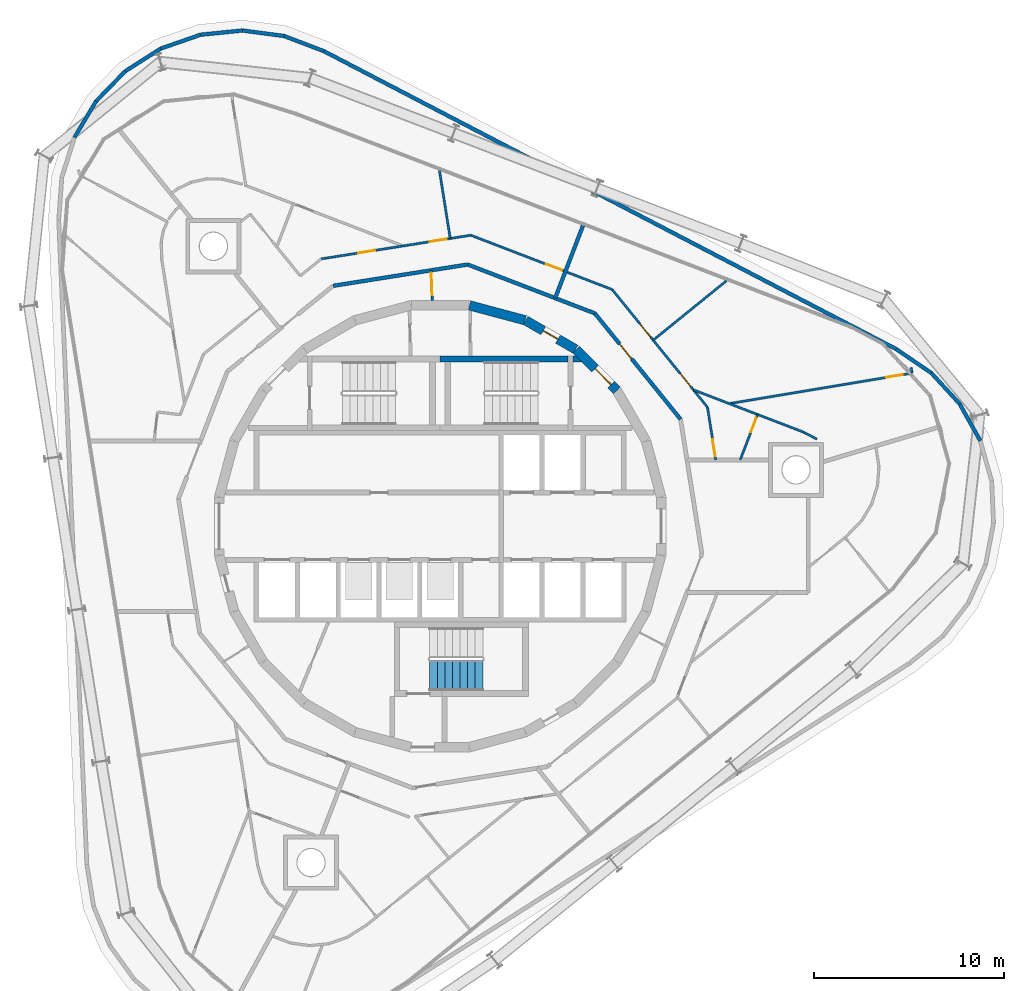
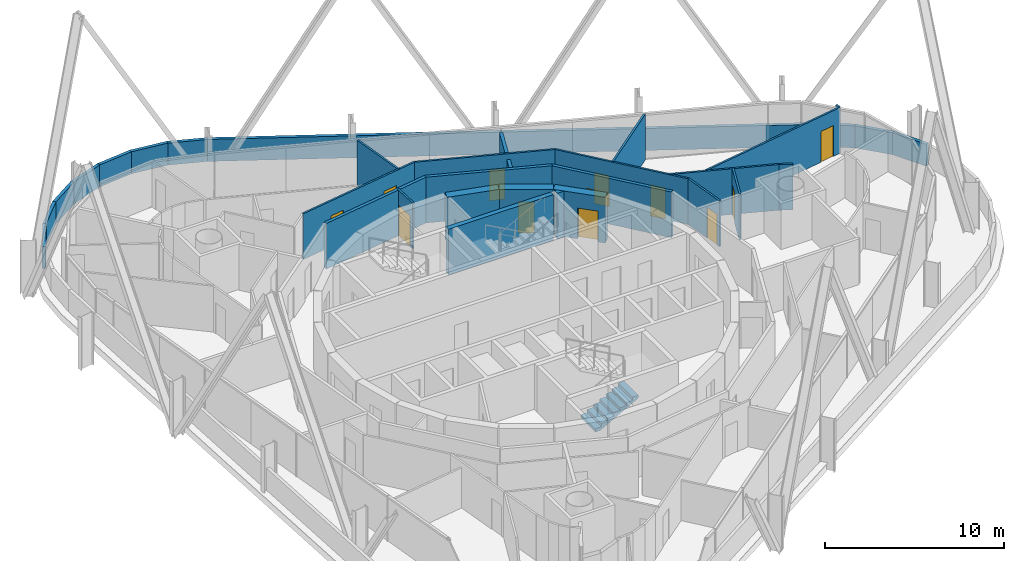
# One storey, part 16 of 19: 32 walls, 12 doors, 1 stair flight, 12 openings, 1 element without a shape of its own.
"""IFC4 building model written with IfcOpenShell, lengths in metres."""

from ifc_helpers import new_model, si_unit, direction, frame, frame_2d, origin, place, context, subcontext, project, spatial, polyline, rectangle, outline, extrude, material, layer, layer_set, type_object, element, fill, aggregate, save


model = new_model("IFC4")

# Units and contexts
model_context = context("Model", 3, precision=1e-05, world=origin(), true_north=direction((0.0, 1.0)))
body_context = subcontext(model_context, "Body", "Model", "MODEL_VIEW")
ifc_project = project(units=[si_unit("LENGTHUNIT", "METRE"), si_unit("AREAUNIT", "SQUARE_METRE"), si_unit("VOLUMEUNIT", "CUBIC_METRE"), si_unit("PLANEANGLEUNIT", "RADIAN"), si_unit("MASSUNIT", "GRAM", prefix="KILO")], contexts=[model_context])

# Site, building, storey
site_placement = place(None, origin())
site = spatial("IfcSite", under=ifc_project, at=site_placement, CompositionType="ELEMENT")
building_placement = place(site_placement, origin())
building = spatial("IfcBuilding", under=site, at=building_placement, Name="Spindle Arch Residences", CompositionType="ELEMENT")
storey_placement = place(building_placement, frame((0.0, 0.0, 263.39990234375)))
storey = spatial("IfcBuildingStorey", under=building, at=storey_placement, Name="L67", CompositionType="ELEMENT", Elevation=263.39990234375)

# Wall, opening, door
ifc_material_1 = material(Name="Concrete C50/60", Category="concrete")
ifc_layer_1 = layer(ifc_material_1, 0.5)
ifc_layer_set_1 = layer_set([ifc_layer_1], Name="Core outline wall 500")
wall_type_1 = type_object("IfcWallType", Name="Core outline wall 500", PredefinedType="SHEAR", material=ifc_layer_set_1)
wall_1_placement = place(storey_placement, frame((9.30810546875, 7.163818359375, 0.0), z_axis=(0.0, 0.0, 1.0), x_axis=(-0.707106781187, 0.707106781187, 0.0)))
wall_1 = element("IfcWall", 1, at=wall_1_placement, inside=storey, type_object=wall_type_1, Name="Core outline wall 9", PredefinedType="SHEAR", context=body_context, shape_type="SweptSolid", body=[
    extrude(rectangle(XDim=3.032470703125, YDim=0.5, at=frame_2d((1.51611328125, 0.0))), origin(), (0.0, 0.0, 1.0), 3.1201171875),
])
opening_1_placement = place(wall_1_placement, frame((0.416259765625, 0.0, 0.0)))
opening_1 = element("IfcOpeningElement", 2, at=opening_1_placement, cuts=wall_1, Name="Opening R7A0-AD01", PredefinedType="OPENING", context=body_context, shape_type="SweptSolid", body=[
    extrude(rectangle(XDim=1.199951171875, YDim=2.10009765625, at=frame_2d((0.60009765625, 1.050048828125))), frame((0.0, 0.260009765625, 0.0), z_axis=(0.0, -1.0, 0.0), x_axis=(1.0, 0.0, 0.0)), (0.0, 0.0, 1.0), 0.52001953125),
])
ifc_material_2 = material(Name="Steel, fire-resisting door", Category="steel")
door_type_1 = type_object("IfcDoorType", Name="Stair airlock door 1200x2100", OperationType="SINGLE_SWING_LEFT", PredefinedType="DOOR", material=ifc_material_2)
door_1_placement = place(opening_1_placement, origin())
door_1 = element("IfcDoor", 3, at=door_1_placement, inside=storey, type_object=door_type_1, Name="Stair airlock door R7A0-AD01", OperationType="SINGLE_SWING_RIGHT", OverallHeight=2.10009765625, OverallWidth=1.199951171875, PredefinedType="DOOR", context=body_context, shape_type="SweptSolid", body=[
    extrude(rectangle(XDim=1.199951171875, YDim=2.10009765625, at=frame_2d((0.60009765625, 1.050048828125))), frame((0.0, 0.02490234375, 0.0), z_axis=(0.0, -1.0, 0.0), x_axis=(1.0, 0.0, 0.0)), (0.0, 0.0, 1.0), 0.050048828125),
])
fill(opening_1, door_1)

wall_2_placement = place(storey_placement, frame((7.13671875, 9.32861328125, 0.0), z_axis=(0.0, 0.0, 1.0), x_axis=(-0.865975092491, 0.500087131594, 0.0)))
wall_2 = element("IfcWall", 4, at=wall_2_placement, inside=storey, type_object=wall_type_1, Name="Core outline wall 10", PredefinedType="SHEAR", context=body_context, shape_type="SweptSolid", body=[
    extrude(rectangle(XDim=3.03271484375, YDim=0.5, at=frame_2d((1.516357421875, 0.0))), origin(), (0.0, 0.0, 1.0), 3.1201171875),
])
opening_2_placement = place(wall_2_placement, frame((1.06640625, 0.0, 0.0)))
opening_2 = element("IfcOpeningElement", 5, at=opening_2_placement, cuts=wall_2, Name="Opening R7A0-WD09", PredefinedType="OPENING", context=body_context, shape_type="SweptSolid", body=[
    extrude(rectangle(XDim=0.89990234375, YDim=2.10009765625, at=frame_2d((0.449951171875, 1.050048828125))), frame((0.0, 0.260009765625, 0.0), z_axis=(0.0, -1.0, 0.0), x_axis=(1.0, 0.0, 0.0)), (0.0, 0.0, 1.0), 0.52001953125),
])
ifc_material_3 = material(Name="Steel, fire-resisting door", Category="steel")
door_type_2 = type_object("IfcDoorType", Name="Service room door 900x2100", OperationType="SINGLE_SWING_LEFT", PredefinedType="DOOR", material=ifc_material_3)
door_2_placement = place(opening_2_placement, origin())
door_2 = element("IfcDoor", 6, at=door_2_placement, inside=storey, type_object=door_type_2, Name="Service room door R7A0-WD09", OperationType="SINGLE_SWING_LEFT", OverallHeight=2.10009765625, OverallWidth=0.89990234375, PredefinedType="DOOR", context=body_context, shape_type="SweptSolid", body=[
    extrude(rectangle(XDim=0.89990234375, YDim=2.10009765625, at=frame_2d((0.449951171875, 1.050048828125))), frame((0.0, 0.02490234375, 0.0), z_axis=(0.0, -1.0, 0.0), x_axis=(1.0, 0.0, 0.0)), (0.0, 0.0, 1.0), 0.050048828125),
])
fill(opening_2, door_2)

# Wall
wall_3_placement = place(storey_placement, frame((4.479248046875, 10.858154296875, 0.0), z_axis=(0.0, 0.0, 1.0), x_axis=(-0.965948410781, 0.258734743916, 0.0)))
element("IfcWall", 7, at=wall_3_placement, inside=storey, type_object=wall_type_1, Name="Core outline wall 11", PredefinedType="SHEAR", context=body_context, shape_type="SweptSolid", body=[
    extrude(rectangle(XDim=3.03271484375, YDim=0.5, at=frame_2d((1.516357421875, 0.0))), origin(), (0.0, 0.0, 1.0), 3.1201171875),
])

# Wall, opening, door
ifc_material_4 = material(Name="Plasterboard on steel studs", Category="steel")
ifc_layer_2 = layer(ifc_material_4, 0.1201171875)
ifc_layer_set_2 = layer_set([ifc_layer_2], Name="Corridor division wall 120")
wall_type_2 = type_object("IfcWallType", Name="Corridor division wall 120", PredefinedType="PARTITIONING", material=ifc_layer_set_2)
wall_4_placement = place(storey_placement, frame((-0.47119140625, 13.492431640625, 0.0), z_axis=(0.0, 0.0, 1.0), x_axis=(0.034873173869, -0.999391745886, 0.0)))
wall_4 = element("IfcWall", 8, at=wall_4_placement, inside=storey, type_object=wall_type_2, Name="Corridor division wall R7A0-W001", PredefinedType="PARTITIONING", context=body_context, shape_type="SweptSolid", body=[
    extrude(rectangle(XDim=1.59619140625, YDim=0.1201171875, at=frame_2d((0.798095703125, 0.0))), origin(), (0.0, 0.0, 1.0), 3.1201171875),
])
opening_3_placement = place(wall_4_placement, frame((0.1201171875, 0.0, 0.0)))
opening_3 = element("IfcOpeningElement", 9, at=opening_3_placement, cuts=wall_4, Name="Opening R7A0-CD01", PredefinedType="OPENING", context=body_context, shape_type="SweptSolid", body=[
    extrude(rectangle(XDim=1.199951171875, YDim=2.10009765625, at=frame_2d((0.60009765625, 1.050048828125))), frame((0.0, 0.070068359375, 0.0), z_axis=(0.0, -1.0, 0.0), x_axis=(1.0, 0.0, 0.0)), (0.0, 0.0, 1.0), 0.14013671875),
])
ifc_material_5 = material(Name="Steel, fire-resisting door", Category="steel")
door_type_3 = type_object("IfcDoorType", Name="Corridor division door 1200x2100", OperationType="NOTDEFINED", PredefinedType="DOOR", material=ifc_material_5)
door_3_placement = place(opening_3_placement, origin())
door_3 = element("IfcDoor", 10, at=door_3_placement, inside=storey, type_object=door_type_3, Name="Corridor division door R7A0-CD01", OperationType="DOUBLE_DOOR_SINGLE_SWING", OverallHeight=2.10009765625, OverallWidth=1.199951171875, PredefinedType="DOOR", context=body_context, shape_type="SweptSolid", body=[
    extrude(rectangle(XDim=1.199951171875, YDim=2.10009765625, at=frame_2d((0.60009765625, 1.050048828125))), frame((0.0, 0.02490234375, 0.0), z_axis=(0.0, -1.0, 0.0), x_axis=(1.0, 0.0, 0.0)), (0.0, 0.0, 1.0), 0.050048828125),
])
fill(opening_3, door_3)

ifc_material_6 = material(Name="Calcium silicate block, plastered")
ifc_layer_3 = layer(ifc_material_6, 0.199951171875)
ifc_layer_set_3 = layer_set([ifc_layer_3], Name="Corridor wall 200")
wall_type_3 = type_object("IfcWallType", Name="Corridor wall 200", PredefinedType="STANDARD", material=ifc_layer_set_3)
wall_5_placement = place(storey_placement, frame((12.67333984375, 5.642578125, 0.0), z_axis=(0.0, 0.0, 1.0), x_axis=(-0.629302871585, 0.777160148113, 0.0)))
wall_5 = element("IfcWall", 11, at=wall_5_placement, inside=storey, type_object=wall_type_3, Name="Corridor wall R7A0-W006", PredefinedType="STANDARD", context=body_context, shape_type="SweptSolid", body=[
    extrude(rectangle(XDim=7.180908203125, YDim=0.199951171875, at=frame_2d((3.59033203125, 0.0))), origin(), (0.0, 0.0, 1.0), 3.1201171875),
])
opening_4_placement = place(wall_5_placement, frame((4.10009765625, 0.0, 0.0)))
opening_4 = element("IfcOpeningElement", 12, at=opening_4_placement, cuts=wall_5, Name="Opening R7A0-FD01", PredefinedType="OPENING", context=body_context, shape_type="SweptSolid", body=[
    extrude(rectangle(XDim=1.0, YDim=2.10009765625, at=frame_2d((0.5, 1.050048828125))), frame((0.0, 0.10986328125, 0.0), z_axis=(0.0, -1.0, 0.0), x_axis=(1.0, 0.0, 0.0)), (0.0, 0.0, 1.0), 0.219970703125),
])
ifc_material_7 = material(Name="Timber, fire-resisting door set", Category="wood")
door_type_4 = type_object("IfcDoorType", Name="Flat entrance door 1000x2100", OperationType="NOTDEFINED", PredefinedType="DOOR", material=ifc_material_7)
door_4_placement = place(opening_4_placement, origin())
door_4 = element("IfcDoor", 13, at=door_4_placement, inside=storey, type_object=door_type_4, Name="Flat entrance door R7A0-FD01", OperationType="SINGLE_SWING_LEFT", OverallHeight=2.10009765625, OverallWidth=1.0, PredefinedType="DOOR", context=body_context, shape_type="SweptSolid", body=[
    extrude(rectangle(XDim=1.0, YDim=2.10009765625, at=frame_2d((0.5, 1.050048828125))), frame((0.0, 0.02490234375, 0.0), z_axis=(0.0, -1.0, 0.0), x_axis=(1.0, 0.0, 0.0)), (0.0, 0.0, 1.0), 0.050048828125),
])
fill(opening_4, door_4)

# Walls
wall_6_placement = place(storey_placement, frame((8.154296875, 11.223388671875, 0.0), z_axis=(0.0, 0.0, 1.0), x_axis=(-0.93359073609, 0.358341090983, 0.0)))
element("IfcWall", 14, at=wall_6_placement, inside=storey, type_object=wall_type_3, Name="Corridor wall R7A0-W007", PredefinedType="STANDARD", context=body_context, shape_type="SweptSolid", body=[
    extrude(rectangle(XDim=7.180908203125, YDim=0.199951171875, at=frame_2d((3.59033203125, 0.0))), origin(), (0.0, 0.0, 1.0), 3.1201171875),
])
wall_7_placement = place(storey_placement, frame((1.4501953125, 13.796630859375, 0.0), z_axis=(0.0, 0.0, 1.0), x_axis=(-0.987690361611, -0.156421704315, 0.0)))
element("IfcWall", 15, at=wall_7_placement, inside=storey, type_object=wall_type_3, Name="Corridor wall R7A0-W008", PredefinedType="STANDARD", context=body_context, shape_type="SweptSolid", body=[
    extrude(rectangle(XDim=7.18115234375, YDim=0.199951171875, at=frame_2d((3.590576171875, 0.0))), origin(), (0.0, 0.0, 1.0), 3.1201171875),
])

# Wall, opening, door
ifc_material_8 = material(Name="Plasterboard on steel studs", Category="steel")
ifc_layer_4 = layer(ifc_material_8, 0.1201171875)
ifc_layer_set_4 = layer_set([ifc_layer_4], Name="Flat partition 120")
wall_type_4 = type_object("IfcWallType", Name="Flat partition 120", PredefinedType="PARTITIONING", material=ifc_layer_set_4)
wall_8_placement = place(storey_placement, frame((14.531494140625, 3.5, 0.0), z_axis=(0.0, 0.0, 1.0), x_axis=(-0.1564580042, 0.987684612071, 0.0)))
wall_8 = element("IfcWall", 16, at=wall_8_placement, inside=storey, type_object=wall_type_4, Name="Flat partition R7A0-W030", PredefinedType="PARTITIONING", context=body_context, shape_type="SweptSolid", body=[
    extrude(rectangle(XDim=2.808837890625, YDim=0.1201171875, at=frame_2d((1.404296875, 0.0))), origin(), (0.0, 0.0, 1.0), 3.1201171875),
])
opening_5_placement = place(wall_8_placement, frame((0.199951171875, 0.0, 0.0)))
opening_5 = element("IfcOpeningElement", 17, at=opening_5_placement, cuts=wall_8, Name="Opening R7A0-ID01", PredefinedType="OPENING", context=body_context, shape_type="SweptSolid", body=[
    extrude(rectangle(XDim=0.89990234375, YDim=2.10009765625, at=frame_2d((0.449951171875, 1.050048828125))), frame((0.0, 0.070068359375, 0.0), z_axis=(0.0, -1.0, 0.0), x_axis=(1.0, 0.0, 0.0)), (0.0, 0.0, 1.0), 0.14013671875),
])
ifc_material_9 = material(Name="Timber door set", Category="wood")
door_type_5 = type_object("IfcDoorType", Name="Room door 900x2100", OperationType="NOTDEFINED", PredefinedType="DOOR", material=ifc_material_9)
door_5_placement = place(opening_5_placement, origin())
door_5 = element("IfcDoor", 18, at=door_5_placement, inside=storey, type_object=door_type_5, Name="Room door R7A0-ID01", OperationType="SINGLE_SWING_LEFT", OverallHeight=2.10009765625, OverallWidth=0.89990234375, PredefinedType="DOOR", context=body_context, shape_type="SweptSolid", body=[
    extrude(rectangle(XDim=0.89990234375, YDim=2.10009765625, at=frame_2d((0.449951171875, 1.050048828125))), frame((0.0, 0.02490234375, 0.0), z_axis=(0.0, -1.0, 0.0), x_axis=(1.0, 0.0, 0.0)), (0.0, 0.0, 1.0), 0.050048828125),
])
fill(opening_5, door_5)

# Wall, openings, doors
wall_9_placement = place(storey_placement, frame((14.092041015625, 6.274169921875, 0.0), z_axis=(0.0, 0.0, 1.0), x_axis=(-0.62933367237, 0.777135206268, 0.0)))
wall_9 = element("IfcWall", 19, at=wall_9_placement, inside=storey, type_object=wall_type_4, Name="Flat partition R7A0-W031", PredefinedType="PARTITIONING", context=body_context, shape_type="SweptSolid", body=[
    extrude(rectangle(XDim=7.98486328125, YDim=0.1201171875, at=frame_2d((3.992431640625, 0.0))), origin(), (0.0, 0.0, 1.0), 3.1201171875),
])
opening_6_placement = place(wall_9_placement, frame((1.3779296875, 0.0, 0.0)))
opening_6 = element("IfcOpeningElement", 20, at=opening_6_placement, cuts=wall_9, Name="Opening R7A0-ID02", PredefinedType="OPENING", context=body_context, shape_type="SweptSolid", body=[
    extrude(rectangle(XDim=0.89990234375, YDim=2.10009765625, at=frame_2d((0.449951171875, 1.050048828125))), frame((0.0, 0.070068359375, 0.0), z_axis=(0.0, -1.0, 0.0), x_axis=(1.0, 0.0, 0.0)), (0.0, 0.0, 1.0), 0.14013671875),
])
opening_7_placement = place(wall_9_placement, frame((4.7490234375, 0.0, 0.0)))
opening_7 = element("IfcOpeningElement", 21, at=opening_7_placement, cuts=wall_9, Name="Opening R7A0-ID03", PredefinedType="OPENING", context=body_context, shape_type="SweptSolid", body=[
    extrude(rectangle(XDim=0.89990234375, YDim=2.10009765625, at=frame_2d((0.449951171875, 1.050048828125))), frame((0.0, 0.070068359375, 0.0), z_axis=(0.0, -1.0, 0.0), x_axis=(1.0, 0.0, 0.0)), (0.0, 0.0, 1.0), 0.14013671875),
])
door_6_placement = place(opening_6_placement, origin())
door_6 = element("IfcDoor", 22, at=door_6_placement, inside=storey, type_object=door_type_5, Name="Room door R7A0-ID02", OperationType="SINGLE_SWING_LEFT", OverallHeight=2.10009765625, OverallWidth=0.89990234375, PredefinedType="DOOR", context=body_context, shape_type="SweptSolid", body=[
    extrude(rectangle(XDim=0.89990234375, YDim=2.10009765625, at=frame_2d((0.449951171875, 1.050048828125))), frame((0.0, 0.02490234375, 0.0), z_axis=(0.0, -1.0, 0.0), x_axis=(1.0, 0.0, 0.0)), (0.0, 0.0, 1.0), 0.050048828125),
])
fill(opening_6, door_6)
door_7_placement = place(opening_7_placement, origin())
door_7 = element("IfcDoor", 23, at=door_7_placement, inside=storey, type_object=door_type_5, Name="Room door R7A0-ID03", OperationType="SINGLE_SWING_LEFT", OverallHeight=2.10009765625, OverallWidth=0.89990234375, PredefinedType="DOOR", context=body_context, shape_type="SweptSolid", body=[
    extrude(rectangle(XDim=0.89990234375, YDim=2.10009765625, at=frame_2d((0.449951171875, 1.050048828125))), frame((0.0, 0.02490234375, 0.0), z_axis=(0.0, -1.0, 0.0), x_axis=(1.0, 0.0, 0.0)), (0.0, 0.0, 1.0), 0.050048828125),
])
fill(opening_7, door_7)

# Wall, opening, door
wall_10_placement = place(storey_placement, frame((9.06689453125, 12.4794921875, 0.0), z_axis=(0.0, 0.0, 1.0), x_axis=(-0.933579449035, 0.358370495911, 0.0)))
wall_10 = element("IfcWall", 24, at=wall_10_placement, inside=storey, type_object=wall_type_4, Name="Flat partition R7A0-W032", PredefinedType="PARTITIONING", context=body_context, shape_type="SweptSolid", body=[
    extrude(rectangle(XDim=7.98486328125, YDim=0.1201171875, at=frame_2d((3.992431640625, 0.0))), origin(), (0.0, 0.0, 1.0), 3.1201171875),
])
opening_8_placement = place(wall_10_placement, frame((2.841064453125, 0.0, 0.0)))
opening_8 = element("IfcOpeningElement", 25, at=opening_8_placement, cuts=wall_10, Name="Opening R7A0-ID05", PredefinedType="OPENING", context=body_context, shape_type="SweptSolid", body=[
    extrude(rectangle(XDim=0.89990234375, YDim=2.10009765625, at=frame_2d((0.449951171875, 1.050048828125))), frame((0.0, 0.070068359375, 0.0), z_axis=(0.0, -1.0, 0.0), x_axis=(1.0, 0.0, 0.0)), (0.0, 0.0, 1.0), 0.14013671875),
])
door_8_placement = place(opening_8_placement, origin())
door_8 = element("IfcDoor", 26, at=door_8_placement, inside=storey, type_object=door_type_5, Name="Room door R7A0-ID05", OperationType="SINGLE_SWING_LEFT", OverallHeight=2.10009765625, OverallWidth=0.89990234375, PredefinedType="DOOR", context=body_context, shape_type="SweptSolid", body=[
    extrude(rectangle(XDim=0.89990234375, YDim=2.10009765625, at=frame_2d((0.449951171875, 1.050048828125))), frame((0.0, 0.02490234375, 0.0), z_axis=(0.0, -1.0, 0.0), x_axis=(1.0, 0.0, 0.0)), (0.0, 0.0, 1.0), 0.050048828125),
])
fill(opening_8, door_8)

# Walls
wall_11_placement = place(storey_placement, frame((19.864501953125, 4.589111328125, 0.0), z_axis=(0.0, 0.0, 1.0), x_axis=(-0.885855229108, 0.46396175819, 0.0)))
element("IfcWall", 27, at=wall_11_placement, inside=storey, type_object=wall_type_4, Name="Flat partition R7A0-W033", PredefinedType="PARTITIONING", context=body_context, shape_type="SweptSolid", body=[
    extrude(rectangle(XDim=0.806640625, YDim=0.1201171875, at=frame_2d((0.4033203125, 0.0))), origin(), (0.0, 0.0, 1.0), 3.1201171875),
])
wall_12_placement = place(storey_placement, frame((19.14990234375, 4.96337890625, 0.0), z_axis=(0.0, 0.0, 1.0), x_axis=(-0.933571304602, 0.358391711992, 0.0)))
element("IfcWall", 28, at=wall_12_placement, inside=storey, type_object=wall_type_4, Name="Flat partition R7A0-W034", PredefinedType="PARTITIONING", context=body_context, shape_type="SweptSolid", body=[
    extrude(rectangle(XDim=6.2119140625, YDim=0.1201171875, at=frame_2d((3.10595703125, 0.0))), origin(), (0.0, 0.0, 1.0), 3.1201171875),
])

# Wall, opening, door
wall_13_placement = place(storey_placement, frame((16.736572265625, 5.889892578125, 0.0), z_axis=(0.0, 0.0, 1.0), x_axis=(-0.358397454141, -0.933569100209, 0.0)))
wall_13 = element("IfcWall", 29, at=wall_13_placement, inside=storey, type_object=wall_type_4, Name="Flat partition R7A0-W035", PredefinedType="PARTITIONING", context=body_context, shape_type="SweptSolid", body=[
    extrude(rectangle(XDim=2.56005859375, YDim=0.1201171875, at=frame_2d((1.280029296875, 0.0))), origin(), (0.0, 0.0, 1.0), 3.1201171875),
])
opening_9_placement = place(wall_13_placement, frame((0.199951171875, 0.0, 0.0)))
opening_9 = element("IfcOpeningElement", 30, at=opening_9_placement, cuts=wall_13, Name="Opening R7A0-BD01", PredefinedType="OPENING", context=body_context, shape_type="SweptSolid", body=[
    extrude(rectangle(XDim=0.800048828125, YDim=2.10009765625, at=frame_2d((0.39990234375, 1.050048828125))), frame((0.0, 0.070068359375, 0.0), z_axis=(0.0, -1.0, 0.0), x_axis=(1.0, 0.0, 0.0)), (0.0, 0.0, 1.0), 0.14013671875),
])
ifc_material_10 = material(Name="Timber door set", Category="wood")
door_type_6 = type_object("IfcDoorType", Name="Bathroom door 800x2100", OperationType="NOTDEFINED", PredefinedType="DOOR", material=ifc_material_10)
door_9_placement = place(opening_9_placement, origin())
door_9 = element("IfcDoor", 31, at=door_9_placement, inside=storey, type_object=door_type_6, Name="Bathroom door R7A0-BD01", OperationType="SINGLE_SWING_LEFT", OverallHeight=2.10009765625, OverallWidth=0.800048828125, PredefinedType="DOOR", context=body_context, shape_type="SweptSolid", body=[
    extrude(rectangle(XDim=0.800048828125, YDim=2.10009765625, at=frame_2d((0.39990234375, 1.050048828125))), frame((0.0, 0.02490234375, 0.0), z_axis=(0.0, -1.0, 0.0), x_axis=(1.0, 0.0, 0.0)), (0.0, 0.0, 1.0), 0.050048828125),
])
fill(opening_9, door_9)

wall_14_placement = place(storey_placement, frame((24.8798828125, 8.07080078125, 0.0), z_axis=(0.0, 0.0, 1.0), x_axis=(-0.986414168431, -0.164277473558, 0.0)))
wall_14 = element("IfcWall", 32, at=wall_14_placement, inside=storey, type_object=wall_type_4, Name="Flat partition R7A0-W036", PredefinedType="PARTITIONING", context=body_context, shape_type="SweptSolid", body=[
    extrude(rectangle(XDim=9.7744140625, YDim=0.1201171875, at=frame_2d((4.88720703125, 0.0))), origin(), (0.0, 0.0, 1.0), 3.1201171875),
])
opening_10_placement = place(wall_14_placement, frame((0.5, 0.0, 0.0)))
opening_10 = element("IfcOpeningElement", 33, at=opening_10_placement, cuts=wall_14, Name="Opening R7A0-ID04", PredefinedType="OPENING", context=body_context, shape_type="SweptSolid", body=[
    extrude(rectangle(XDim=0.89990234375, YDim=2.10009765625, at=frame_2d((0.449951171875, 1.050048828125))), frame((0.0, 0.070068359375, 0.0), z_axis=(0.0, -1.0, 0.0), x_axis=(1.0, 0.0, 0.0)), (0.0, 0.0, 1.0), 0.14013671875),
])
door_10_placement = place(opening_10_placement, origin())
door_10 = element("IfcDoor", 34, at=door_10_placement, inside=storey, type_object=door_type_5, Name="Room door R7A0-ID04", OperationType="SINGLE_SWING_LEFT", OverallHeight=2.10009765625, OverallWidth=0.89990234375, PredefinedType="DOOR", context=body_context, shape_type="SweptSolid", body=[
    extrude(rectangle(XDim=0.89990234375, YDim=2.10009765625, at=frame_2d((0.449951171875, 1.050048828125))), frame((0.0, 0.02490234375, 0.0), z_axis=(0.0, -1.0, 0.0), x_axis=(1.0, 0.0, 0.0)), (0.0, 0.0, 1.0), 0.050048828125),
])
fill(opening_10, door_10)

# Wall
wall_15_placement = place(storey_placement, frame((15.100830078125, 12.944580078125, 0.0), z_axis=(0.0, 0.0, 1.0), x_axis=(-0.777178675378, -0.629279990575, 0.0)))
element("IfcWall", 35, at=wall_15_placement, inside=storey, type_object=wall_type_4, Name="Flat partition R7A0-W037", PredefinedType="PARTITIONING", context=body_context, shape_type="SweptSolid", body=[
    extrude(rectangle(XDim=4.98193359375, YDim=0.1201171875, at=frame_2d((2.490966796875, 0.0))), origin(), (0.0, 0.0, 1.0), 3.1201171875),
])

# Wall, openings, doors
wall_16_placement = place(storey_placement, frame((1.6123046875, 15.341064453125, 0.0), z_axis=(0.0, 0.0, 1.0), x_axis=(-0.987689722749, -0.156425738216, 0.0)))
wall_16 = element("IfcWall", 36, at=wall_16_placement, inside=storey, type_object=wall_type_4, Name="Flat partition R7A0-W038", PredefinedType="PARTITIONING", context=body_context, shape_type="SweptSolid", body=[
    extrude(rectangle(XDim=7.98486328125, YDim=0.1201171875, at=frame_2d((3.992431640625, 0.0))), origin(), (0.0, 0.0, 1.0), 3.1201171875),
])
opening_11_placement = place(wall_16_placement, frame((1.29541015625, 0.0, 0.0)))
opening_11 = element("IfcOpeningElement", 37, at=opening_11_placement, cuts=wall_16, Name="Opening R7A0-ID06", PredefinedType="OPENING", context=body_context, shape_type="SweptSolid", body=[
    extrude(rectangle(XDim=0.89990234375, YDim=2.10009765625, at=frame_2d((0.449951171875, 1.050048828125))), frame((0.0, 0.070068359375, 0.0), z_axis=(0.0, -1.0, 0.0), x_axis=(1.0, 0.0, 0.0)), (0.0, 0.0, 1.0), 0.14013671875),
])
opening_12_placement = place(wall_16_placement, frame((5.10693359375, 0.0, 0.0)))
opening_12 = element("IfcOpeningElement", 38, at=opening_12_placement, cuts=wall_16, Name="Opening R7A0-ID07", PredefinedType="OPENING", context=body_context, shape_type="SweptSolid", body=[
    extrude(rectangle(XDim=0.89990234375, YDim=2.10009765625, at=frame_2d((0.449951171875, 1.050048828125))), frame((0.0, 0.070068359375, 0.0), z_axis=(0.0, -1.0, 0.0), x_axis=(1.0, 0.0, 0.0)), (0.0, 0.0, 1.0), 0.14013671875),
])
door_11_placement = place(opening_11_placement, origin())
door_11 = element("IfcDoor", 39, at=door_11_placement, inside=storey, type_object=door_type_5, Name="Room door R7A0-ID06", OperationType="SINGLE_SWING_RIGHT", OverallHeight=2.10009765625, OverallWidth=0.89990234375, PredefinedType="DOOR", context=body_context, shape_type="SweptSolid", body=[
    extrude(rectangle(XDim=0.89990234375, YDim=2.10009765625, at=frame_2d((0.449951171875, 1.050048828125))), frame((0.0, 0.02490234375, 0.0), z_axis=(0.0, -1.0, 0.0), x_axis=(1.0, 0.0, 0.0)), (0.0, 0.0, 1.0), 0.050048828125),
])
fill(opening_11, door_11)
door_12_placement = place(opening_12_placement, origin())
door_12 = element("IfcDoor", 40, at=door_12_placement, inside=storey, type_object=door_type_5, Name="Room door R7A0-ID07", OperationType="SINGLE_SWING_RIGHT", OverallHeight=2.10009765625, OverallWidth=0.89990234375, PredefinedType="DOOR", context=body_context, shape_type="SweptSolid", body=[
    extrude(rectangle(XDim=0.89990234375, YDim=2.10009765625, at=frame_2d((0.449951171875, 1.050048828125))), frame((0.0, 0.02490234375, 0.0), z_axis=(0.0, -1.0, 0.0), x_axis=(1.0, 0.0, 0.0)), (0.0, 0.0, 1.0), 0.050048828125),
])
fill(opening_12, door_12)

# Walls
wall_17_placement = place(storey_placement, frame((-0.037353515625, 18.755615234375, 0.0), z_axis=(0.0, 0.0, 1.0), x_axis=(0.156421851095, -0.987690338365, 0.0)))
element("IfcWall", 41, at=wall_17_placement, inside=storey, type_object=wall_type_4, Name="Flat partition R7A0-W042", PredefinedType="PARTITIONING", context=body_context, shape_type="SweptSolid", body=[
    extrude(rectangle(XDim=3.63037109375, YDim=0.1201171875, at=frame_2d((1.815185546875, 0.0))), origin(), (0.0, 0.0, 1.0), 3.1201171875),
])
wall_18_placement = place(storey_placement, frame((24.8798828125, 8.07080078125, 0.0), z_axis=(0.0, 0.0, 1.0), x_axis=(-0.164398987305, 0.986393923832, 0.0)))
element("IfcWall", 42, at=wall_18_placement, inside=storey, type_object=wall_type_4, Name="Flat partition R7A0-W096", PredefinedType="PARTITIONING", context=body_context, shape_type="SweptSolid", body=[
    extrude(rectangle(XDim=0.300048828125, YDim=0.1201171875, at=frame_2d((0.14990234375, 0.0))), origin(), (0.0, 0.0, 1.0), 3.1201171875),
])
ifc_material_11 = material(Name="Calcium silicate block, plastered")
ifc_layer_5 = layer(ifc_material_11, 0.199951171875)
ifc_layer_set_5 = layer_set([ifc_layer_5], Name="Flat party wall 200 under beam 2730")
wall_type_5 = type_object("IfcWallType", Name="Flat party wall 200 under beam 2730", PredefinedType="STANDARD", material=ifc_layer_set_5)
wall_19_placement = place(storey_placement, frame((7.53173828125, 15.85009765625, 0.0), z_axis=(0.0, 0.0, 1.0), x_axis=(-0.358355996975, -0.933585014571, 0.0)))
element("IfcWall", 43, at=wall_19_placement, inside=storey, type_object=wall_type_5, Name="Flat party wall R7A0-W023", PredefinedType="STANDARD", context=body_context, shape_type="SweptSolid", body=[
    extrude(rectangle(XDim=4.096435546875, YDim=0.199951171875, at=frame_2d((2.04833984375, 0.0))), origin(), (0.0, 0.0, 1.0), 2.72998046875),
])
ifc_material_12 = material(Name="Concrete C40/50", Category="concrete")
ifc_layer_6 = layer(ifc_material_12, 0.199951171875)
ifc_layer_set_6 = layer_set([ifc_layer_6], Name="Roof parapet 1500")
wall_type_6 = type_object("IfcWallType", Name="Roof parapet 1500", PredefinedType="PARAPET", material=ifc_layer_set_6)
wall_20_placement = place(storey_placement, frame((-19.280517578125, 20.49169921875, 0.030029296875), z_axis=(0.0, 0.0, 1.0), x_axis=(0.512593037575, 0.858631689277, 0.0)))
element("IfcWall", 44, at=wall_20_placement, inside=storey, type_object=wall_type_6, Name="Roof parapet L66 1.14", PredefinedType="PARAPET", context=body_context, shape_type="SweptSolid", body=[
    extrude(rectangle(XDim=2.22802734375, YDim=0.199951171875, at=frame_2d((1.114013671875, 0.0))), origin(), (0.0, 0.0, 1.0), 1.5),
])
for number, where, z_axis, x_axis, name in (
    (45, (-18.1455078125, 22.3955078125, 0.030029296875), (0.0, 0.0, 1.0), (0.696732532768, 0.717331009913, 0.0), "Roof parapet L66 1.15"),
    (46, (-16.60205078125, 23.986572265625, 0.030029296875), (0.0, 0.0, 1.0), (0.843368098269, 0.537336254893, 0.0), "Roof parapet L66 1.16"),
    (47, (-14.7333984375, 25.1787109375, 0.030029296875), (0.0, 0.0, 1.0), (0.944551473251, 0.328363387697, 0.0), "Roof parapet L66 1.17"),
):
    element("IfcWall", number, at=place(storey_placement, frame(where, z_axis=z_axis, x_axis=x_axis)), inside=storey, type_object=wall_type_6, Name=name, PredefinedType="PARAPET", context=body_context, shape_type="SweptSolid", body=[
        extrude(rectangle(XDim=2.228271484375, YDim=0.199951171875, at=frame_2d((1.1142578125, 0.0))), origin(), (0.0, 0.0, 1.0), 1.5),
    ])
for number, where, z_axis, x_axis, name in (
    (48, (-12.639892578125, 25.90771484375, 0.030029296875), (0.0, 0.0, 1.0), (0.99481673892, 0.101684098878, 0.0), "Roof parapet L66 1.18"),
    (49, (-10.434814453125, 26.134521484375, 0.030029296875), (0.0, 0.0, 1.0), (0.991433397225, -0.130613241544, 0.0), "Roof parapet L66 1.19"),
):
    element("IfcWall", number, at=place(storey_placement, frame(where, z_axis=z_axis, x_axis=x_axis)), inside=storey, type_object=wall_type_6, Name=name, PredefinedType="PARAPET", context=body_context, shape_type="SweptSolid", body=[
        extrude(rectangle(XDim=2.22802734375, YDim=0.199951171875, at=frame_2d((1.114013671875, 0.0))), origin(), (0.0, 0.0, 1.0), 1.5),
    ])
wall_21_placement = place(storey_placement, frame((-8.237060546875, 25.846435546875, 0.030029296875), z_axis=(0.0, 0.0, 1.0), x_axis=(0.9346024716, -0.355693997812, 0.0)))
element("IfcWall", 50, at=wall_21_placement, inside=storey, type_object=wall_type_6, Name="Roof parapet L66 1.20", PredefinedType="PARAPET", context=body_context, shape_type="SweptSolid", body=[
    extrude(rectangle(XDim=2.257568359375, YDim=0.199951171875, at=frame_2d((1.12890625, 0.0))), origin(), (0.0, 0.0, 1.0), 1.5),
])
wall_22_placement = place(storey_placement, frame((-6.132568359375, 25.0458984375, 0.030029296875), z_axis=(0.0, 0.0, 1.0), x_axis=(0.887010202007, -0.461749825701, 0.0)))
element("IfcWall", 51, at=wall_22_placement, inside=storey, type_object=wall_type_6, Name="Roof parapet L66 1.21", PredefinedType="PARAPET", context=body_context, shape_type="SweptSolid", body=[
    extrude(rectangle(XDim=34.009033203125, YDim=0.199951171875, at=frame_2d((17.00439453125, 0.0))), origin(), (0.0, 0.0, 1.0), 1.5),
])
wall_23_placement = place(storey_placement, frame((24.02880859375, 9.34521484375, 0.030029296875), z_axis=(0.0, 0.0, 1.0), x_axis=(0.827412960447, -0.561593975114, 0.0)))
element("IfcWall", 52, at=wall_23_placement, inside=storey, type_object=wall_type_6, Name="Roof parapet L66 1.22", PredefinedType="PARAPET", context=body_context, shape_type="SweptSolid", body=[
    extrude(rectangle(XDim=2.257568359375, YDim=0.199951171875, at=frame_2d((1.12890625, 0.0))), origin(), (0.0, 0.0, 1.0), 1.5),
])
wall_24_placement = place(storey_placement, frame((25.887939453125, 8.085205078125, 0.030029296875), z_axis=(0.0, 0.0, 1.0), x_axis=(0.675590656091, -0.737276925858, 0.0)))
element("IfcWall", 53, at=wall_24_placement, inside=storey, type_object=wall_type_6, Name="Roof parapet L66 1.23", PredefinedType="PARAPET", context=body_context, shape_type="SweptSolid", body=[
    extrude(rectangle(XDim=2.228271484375, YDim=0.199951171875, at=frame_2d((1.1142578125, 0.0))), origin(), (0.0, 0.0, 1.0), 1.5),
])
wall_25_placement = place(storey_placement, frame((27.386474609375, 6.45166015625, 0.030029296875), z_axis=(0.0, 0.0, 1.0), x_axis=(0.48738170277, -0.873189026388, 0.0)))
element("IfcWall", 54, at=wall_25_placement, inside=storey, type_object=wall_type_6, Name="Roof parapet L66 1.24", PredefinedType="PARAPET", context=body_context, shape_type="SweptSolid", body=[
    extrude(rectangle(XDim=2.22802734375, YDim=0.199951171875, at=frame_2d((1.114013671875, 0.0))), origin(), (0.0, 0.0, 1.0), 1.5),
])
ifc_material_13 = material(Name="Concrete C40/50", Category="concrete")
wall_type_7 = type_object("IfcWallType", Name="Stair airlock wall profile", PredefinedType="SHEAR", material=ifc_material_13)
wall_26_placement = place(storey_placement, origin())
element("IfcWall", 55, at=wall_26_placement, inside=storey, type_object=wall_type_7, Name="Stair ST-1 airlock wall N", PredefinedType="SHEAR", context=body_context, shape_type="SweptSolid", body=[
    extrude(outline(polyline([(7.4482421875, 8.669921875), (7.0, 8.669921875), (7.0, 8.969970703125), (7.148193359375, 8.969970703125), (7.4482421875, 8.669921875)])), origin(), (0.0, 0.0, 1.0), 3.1201171875),
])
ifc_material_14 = material(Name="Concrete C50/60", Category="concrete")
ifc_layer_7 = layer(ifc_material_14, 0.300048828125)
ifc_layer_set_7 = layer_set([ifc_layer_7], Name="Stair enclosure wall 300")
wall_type_8 = type_object("IfcWallType", Name="Stair enclosure wall 300", PredefinedType="SHEAR", material=ifc_layer_set_7)
wall_27_placement = place(storey_placement, frame((0.0, 8.820068359375, 0.0), z_axis=(0.0, 0.0, 1.0), x_axis=(1.0, 0.0, 0.0)))
element("IfcWall", 56, at=wall_27_placement, inside=storey, type_object=wall_type_8, Name="Stair ST-1 enclosure wall N", PredefinedType="SHEAR", context=body_context, shape_type="SweptSolid", body=[
    extrude(rectangle(XDim=6.75, YDim=0.300048828125, at=frame_2d((3.375, 0.0))), origin(), (0.0, 0.0, 1.0), 3.1201171875),
])

# Stair, stair flight
ifc_material_15 = material(Name="Concrete C50/60", Category="concrete")
stair_type = type_object("IfcStairType", Name="Exit stair 16 risers", PredefinedType="HALF_TURN_STAIR", material=ifc_material_15)
stair_placement = place(storey_placement, origin())
stair = element("IfcStair", 57, at=stair_placement, inside=storey, type_object=stair_type, Name="L67 Exit stair ST3", PredefinedType="HALF_TURN_STAIR")
ifc_material_16 = material(Name="Concrete C50/60", Category="concrete")
stair_flight_type = type_object("IfcStairFlightType", Name="Exit stair flight", PredefinedType="STRAIGHT", material=ifc_material_16)
stair_flight_placement = place(storey_placement, frame((-0.550048828125, -7.8701171875, 0.0), z_axis=(0.0, 0.0, 1.0), x_axis=(1.0, 0.0, 0.0)))
stair_flight = element("IfcStairFlight", 58, at=stair_flight_placement, type_object=stair_flight_type, Name="ST3 flight 1", NumberOfRisers=8, NumberOfTreads=7, PredefinedType="STRAIGHT", RiserHeight=0.21875, TreadLength=0.4, context=body_context, shape_type="SweptSolid", body=[
    extrude(outline(polyline([(0.0, 0.0), (0.0, 0.21875), (0.39990234375, 0.21875), (0.39990234375, 0.4375), (0.800048828125, 0.4375), (0.800048828125, 0.65625), (1.199951171875, 0.65625), (1.199951171875, 0.875), (1.60009765625, 0.875), (1.60009765625, 1.09375), (2.0, 1.09375), (2.0, 1.3125), (2.39990234375, 1.3125), (2.39990234375, 1.53125), (2.800048828125, 1.53125), (2.800048828125, 1.75), (2.800048828125, 1.3603515625), (0.3125, 0.0), (0.0, 0.0)])), frame((0.0, 0.800048828125, 0.0), z_axis=(0.0, -1.0, 0.0), x_axis=(1.0, 0.0, 0.0)), (0.0, 0.0, 1.0), 1.60009765625),
])
aggregate(stair, [stair_flight])

save(model, "model.ifc")
